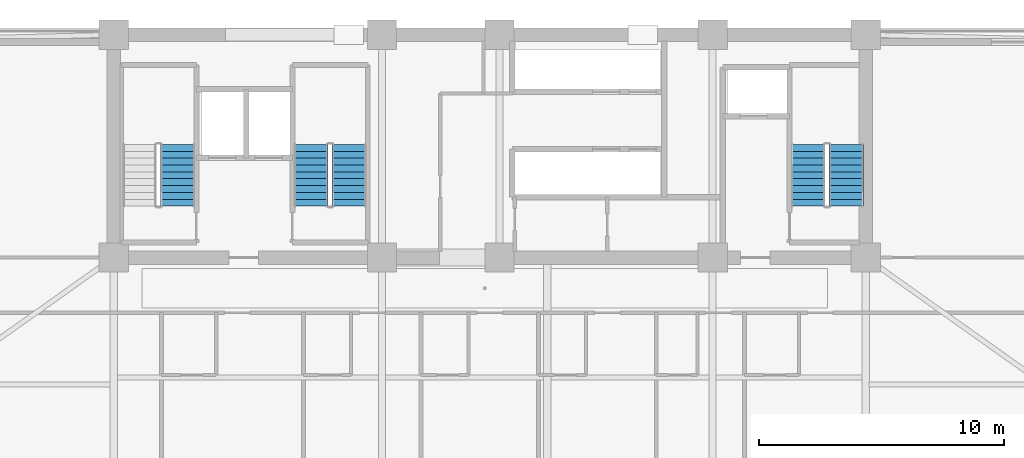
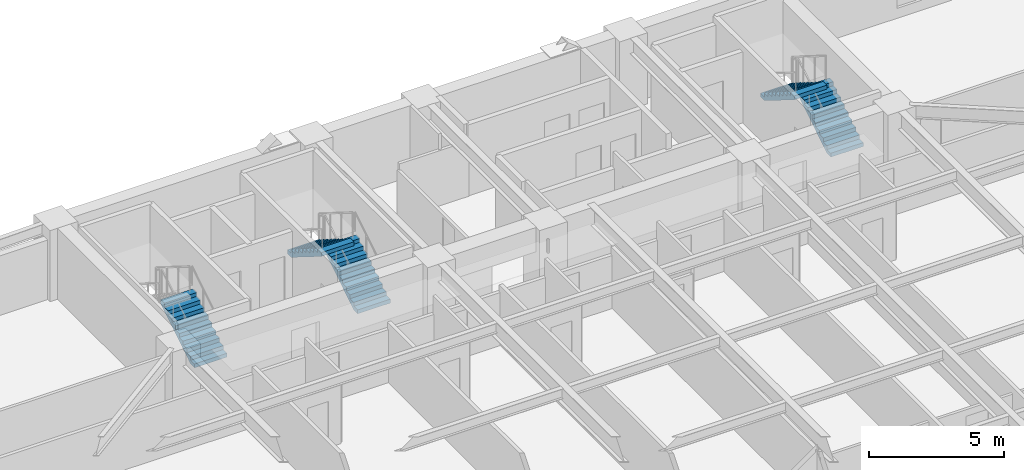
# One storey, part 11 of 17: 5 stair flights, 3 elements without a shape of their own.
"""IFC4 building model written with IfcOpenShell, lengths in metres."""

from ifc_helpers import new_model, si_unit, direction, frame, origin, place, context, subcontext, project, spatial, polyline, outline, extrude, material, type_object, element, aggregate, save


model = new_model("IFC4")

# Units and contexts
model_context = context("Model", 3, precision=1e-05, world=origin(), true_north=direction((0.0, 1.0)))
body_context = subcontext(model_context, "Body", "Model", "MODEL_VIEW")
ifc_project = project(units=[si_unit("LENGTHUNIT", "METRE"), si_unit("AREAUNIT", "SQUARE_METRE"), si_unit("VOLUMEUNIT", "CUBIC_METRE"), si_unit("PLANEANGLEUNIT", "RADIAN"), si_unit("MASSUNIT", "GRAM", prefix="KILO")], contexts=[model_context])

# Site, building, storey
site_placement = place(None, origin())
site = spatial("IfcSite", under=ifc_project, at=site_placement, CompositionType="ELEMENT")
building_placement = place(site_placement, origin())
building = spatial("IfcBuilding", under=site, at=building_placement, Name="Giltprow Tower", CompositionType="ELEMENT")
storey_placement = place(building_placement, frame((0.0, 0.0, 141.199951171875)))
storey = spatial("IfcBuildingStorey", under=building, at=storey_placement, Name="L34", CompositionType="ELEMENT", Elevation=141.199951171875)

# Stair, stair flight
ifc_material = material(Name="Concrete C40", Category="concrete")
stair_type_1 = type_object("IfcStairType", Name="STR-ST-1", PredefinedType="HALF_TURN_STAIR", material=ifc_material)
stair_1_placement = place(storey_placement, origin())
stair_1 = element("IfcStair", 1, at=stair_1_placement, inside=storey, type_object=stair_type_1, Name="L34 Core Exit Stair ST-1", PredefinedType="HALF_TURN_STAIR")
stair_flight_type_1 = type_object("IfcStairFlightType", Name="SFL-ST-1", PredefinedType="STRAIGHT", material=ifc_material)
stair_flight_1_placement = place(storey_placement, frame((22.4599609375, 39.550048828125, 0.0), z_axis=(0.0, 0.0, 1.0), x_axis=(0.0, 1.0, 0.0)))
stair_flight_1 = element("IfcStairFlight", 2, at=stair_flight_1_placement, type_object=stair_flight_type_1, Name="ST-1 flight 1", NumberOfRisers=10, NumberOfTreads=9, PredefinedType="STRAIGHT", RiserHeight=0.175, TreadLength=0.28, context=body_context, shape_type="SweptSolid", body=[
    extrude(outline(polyline([(0.0, 0.0), (0.0, 0.175048828125), (0.280029296875, 0.175048828125), (0.280029296875, 0.35009765625), (0.56005859375, 0.35009765625), (0.56005859375, 0.52490234375), (0.840087890625, 0.52490234375), (0.840087890625, 0.699951171875), (1.1201171875, 0.699951171875), (1.1201171875, 0.875), (1.39990234375, 0.875), (1.39990234375, 1.050048828125), (1.679931640625, 1.050048828125), (1.679931640625, 1.22509765625), (1.9599609375, 1.22509765625), (1.9599609375, 1.39990234375), (2.239990234375, 1.39990234375), (2.239990234375, 1.574951171875), (2.52001953125, 1.574951171875), (2.52001953125, 1.75), (2.52001953125, 1.398193359375), (0.28271484375, 0.0), (0.0, 0.0)])), frame((0.0, 0.699951171875, 0.0), z_axis=(0.0, -1.0, 0.0), x_axis=(1.0, 0.0, 0.0)), (0.0, 0.0, 1.0), 1.39990234375),
])
aggregate(stair_1, [stair_flight_1])

# Stair, stair flights
stair_type_2 = type_object("IfcStairType", Name="STR-ST-2", PredefinedType="HALF_TURN_STAIR", material=ifc_material)
stair_2_placement = place(storey_placement, origin())
stair_2 = element("IfcStair", 3, at=stair_2_placement, inside=storey, type_object=stair_type_2, Name="L34 Core Exit Stair ST-2", PredefinedType="HALF_TURN_STAIR")
stair_flight_type_2 = type_object("IfcStairFlightType", Name="SFL-ST-2", PredefinedType="STRAIGHT", material=ifc_material)
stair_flight_2_placement = place(storey_placement, frame((29.4599609375, 39.550048828125, 0.0), z_axis=(0.0, 0.0, 1.0), x_axis=(0.0, 1.0, 0.0)))
stair_flight_2 = element("IfcStairFlight", 4, at=stair_flight_2_placement, type_object=stair_flight_type_2, Name="ST-2 flight 1", NumberOfRisers=10, NumberOfTreads=9, PredefinedType="STRAIGHT", RiserHeight=0.175, TreadLength=0.28, context=body_context, shape_type="SweptSolid", body=[
    extrude(outline(polyline([(0.0, 0.0), (0.0, 0.175048828125), (0.280029296875, 0.175048828125), (0.280029296875, 0.35009765625), (0.56005859375, 0.35009765625), (0.56005859375, 0.52490234375), (0.840087890625, 0.52490234375), (0.840087890625, 0.699951171875), (1.1201171875, 0.699951171875), (1.1201171875, 0.875), (1.39990234375, 0.875), (1.39990234375, 1.050048828125), (1.679931640625, 1.050048828125), (1.679931640625, 1.22509765625), (1.9599609375, 1.22509765625), (1.9599609375, 1.39990234375), (2.239990234375, 1.39990234375), (2.239990234375, 1.574951171875), (2.52001953125, 1.574951171875), (2.52001953125, 1.75), (2.52001953125, 1.398193359375), (0.28271484375, 0.0), (0.0, 0.0)])), frame((0.0, 0.699951171875, 0.0), z_axis=(0.0, -1.0, 0.0), x_axis=(1.0, 0.0, 0.0)), (0.0, 0.0, 1.0), 1.39990234375),
])
stair_flight_3_placement = place(storey_placement, frame((27.89990234375, 42.070068359375, 1.75), z_axis=(0.0, 0.0, 1.0), x_axis=(0.0, -1.0, 0.0)))
stair_flight_3 = element("IfcStairFlight", 5, at=stair_flight_3_placement, type_object=stair_flight_type_2, Name="ST-2 flight 2", NumberOfRisers=10, NumberOfTreads=9, PredefinedType="STRAIGHT", RiserHeight=0.175, TreadLength=0.28, context=body_context, shape_type="SweptSolid", body=[
    extrude(outline(polyline([(0.0, 0.0), (0.0, 0.175048828125), (0.280029296875, 0.175048828125), (0.280029296875, 0.35009765625), (0.56005859375, 0.35009765625), (0.56005859375, 0.52490234375), (0.840087890625, 0.52490234375), (0.840087890625, 0.699951171875), (1.1201171875, 0.699951171875), (1.1201171875, 0.875), (1.39990234375, 0.875), (1.39990234375, 1.050048828125), (1.679931640625, 1.050048828125), (1.679931640625, 1.22509765625), (1.9599609375, 1.22509765625), (1.9599609375, 1.39990234375), (2.239990234375, 1.39990234375), (2.239990234375, 1.574951171875), (2.52001953125, 1.574951171875), (2.52001953125, 1.75), (2.52001953125, 1.398193359375), (0.28271484375, 0.0), (0.0, 0.0)])), frame((0.0, 0.699951171875, 0.0), z_axis=(0.0, -1.0, 0.0), x_axis=(1.0, 0.0, 0.0)), (0.0, 0.0, 1.0), 1.39990234375),
])
aggregate(stair_2, [stair_flight_2, stair_flight_3])

stair_type_3 = type_object("IfcStairType", Name="STR-ST-3", PredefinedType="HALF_TURN_STAIR", material=ifc_material)
stair_3_placement = place(storey_placement, origin())
stair_3 = element("IfcStair", 6, at=stair_3_placement, inside=storey, type_object=stair_type_3, Name="L34 Core Exit Stair ST-3", PredefinedType="HALF_TURN_STAIR")
stair_flight_type_3 = type_object("IfcStairFlightType", Name="SFL-ST-3", PredefinedType="STRAIGHT", material=ifc_material)
stair_flight_4_placement = place(storey_placement, frame((49.760009765625, 39.550048828125, 0.0), z_axis=(0.0, 0.0, 1.0), x_axis=(0.0, 1.0, 0.0)))
stair_flight_4 = element("IfcStairFlight", 7, at=stair_flight_4_placement, type_object=stair_flight_type_3, Name="ST-3 flight 1", NumberOfRisers=10, NumberOfTreads=9, PredefinedType="STRAIGHT", RiserHeight=0.175, TreadLength=0.28, context=body_context, shape_type="SweptSolid", body=[
    extrude(outline(polyline([(0.0, 0.0), (0.0, 0.175048828125), (0.280029296875, 0.175048828125), (0.280029296875, 0.35009765625), (0.56005859375, 0.35009765625), (0.56005859375, 0.52490234375), (0.840087890625, 0.52490234375), (0.840087890625, 0.699951171875), (1.1201171875, 0.699951171875), (1.1201171875, 0.875), (1.39990234375, 0.875), (1.39990234375, 1.050048828125), (1.679931640625, 1.050048828125), (1.679931640625, 1.22509765625), (1.9599609375, 1.22509765625), (1.9599609375, 1.39990234375), (2.239990234375, 1.39990234375), (2.239990234375, 1.574951171875), (2.52001953125, 1.574951171875), (2.52001953125, 1.75), (2.52001953125, 1.398193359375), (0.28271484375, 0.0), (0.0, 0.0)])), frame((0.0, 0.699951171875, 0.0), z_axis=(0.0, -1.0, 0.0), x_axis=(1.0, 0.0, 0.0)), (0.0, 0.0, 1.0), 1.39990234375),
])
stair_flight_5_placement = place(storey_placement, frame((48.199951171875, 42.070068359375, 1.75), z_axis=(0.0, 0.0, 1.0), x_axis=(0.0, -1.0, 0.0)))
stair_flight_5 = element("IfcStairFlight", 8, at=stair_flight_5_placement, type_object=stair_flight_type_3, Name="ST-3 flight 2", NumberOfRisers=10, NumberOfTreads=9, PredefinedType="STRAIGHT", RiserHeight=0.175, TreadLength=0.28, context=body_context, shape_type="SweptSolid", body=[
    extrude(outline(polyline([(0.0, 0.0), (0.0, 0.175048828125), (0.280029296875, 0.175048828125), (0.280029296875, 0.35009765625), (0.56005859375, 0.35009765625), (0.56005859375, 0.52490234375), (0.840087890625, 0.52490234375), (0.840087890625, 0.699951171875), (1.1201171875, 0.699951171875), (1.1201171875, 0.875), (1.39990234375, 0.875), (1.39990234375, 1.050048828125), (1.679931640625, 1.050048828125), (1.679931640625, 1.22509765625), (1.9599609375, 1.22509765625), (1.9599609375, 1.39990234375), (2.239990234375, 1.39990234375), (2.239990234375, 1.574951171875), (2.52001953125, 1.574951171875), (2.52001953125, 1.75), (2.52001953125, 1.398193359375), (0.28271484375, 0.0), (0.0, 0.0)])), frame((0.0, 0.699951171875, 0.0), z_axis=(0.0, -1.0, 0.0), x_axis=(1.0, 0.0, 0.0)), (0.0, 0.0, 1.0), 1.39990234375),
])
aggregate(stair_3, [stair_flight_4, stair_flight_5])

save(model, "model.ifc")
